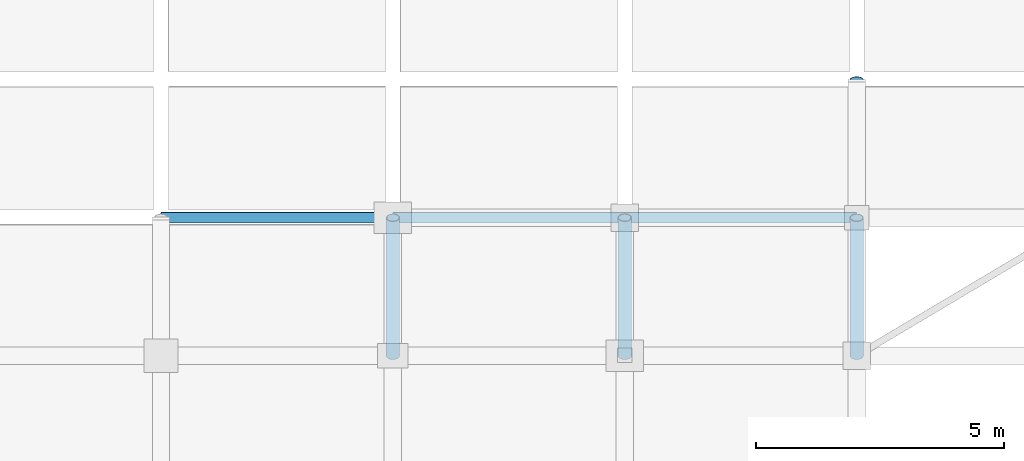
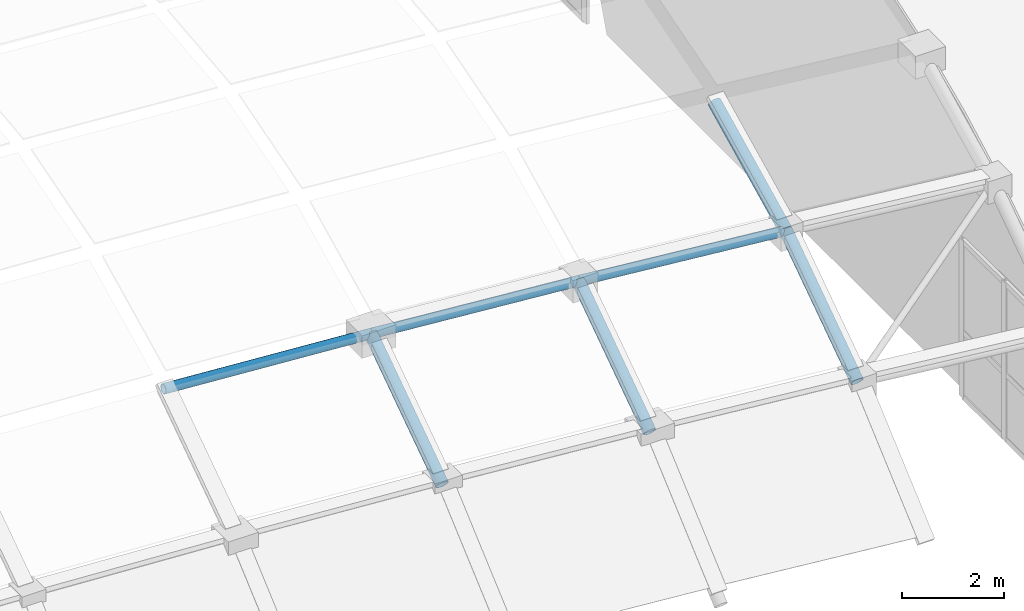
# One storey, part 28 of 65: 4 beams, 3 members.
"""IFC4 building model written with IfcOpenShell, lengths in metres."""

from ifc_helpers import new_model, si_unit, direction, frame, origin, origin_2d, place, context, subcontext, project, spatial, hollow_circle, extrude, material, material_profile, profile_set, type_object, element, save


model = new_model("IFC4")

# Units and contexts
model_context = context("Model", 3, precision=1e-05, world=origin(), true_north=direction((0.0, 1.0)))
body_context = subcontext(model_context, "Body", "Model", "MODEL_VIEW")
ifc_project = project(units=[si_unit("LENGTHUNIT", "METRE"), si_unit("AREAUNIT", "SQUARE_METRE"), si_unit("VOLUMEUNIT", "CUBIC_METRE"), si_unit("PLANEANGLEUNIT", "RADIAN"), si_unit("MASSUNIT", "GRAM", prefix="KILO")], contexts=[model_context])

# Site, building, storey
site_placement = place(None, origin())
site = spatial("IfcSite", under=ifc_project, at=site_placement, CompositionType="ELEMENT")
building_placement = place(site_placement, origin())
building = spatial("IfcBuilding", under=site, at=building_placement, Name="Quillay Park Conservatory", CompositionType="ELEMENT")
storey_placement = place(building_placement, frame((0.0, 0.0, 14.10009765625)))
storey = spatial("IfcBuildingStorey", under=building, at=storey_placement, Name="L03", CompositionType="ELEMENT", Elevation=14.10009765625)

# Beams
ifc_material_1 = material(Name="Steel S355J2H", Category="steel")
ifc_material_profile_1 = material_profile(ifc_material_1, hollow_circle(Radius=0.136474609375, WallThickness=0.012451171875, at=origin_2d()), Name="CHS273x12.5")
ifc_profile_set_1 = profile_set([ifc_material_profile_1], Name="Steel S355J2H")
beam_type = type_object("IfcBeamType", Name="GRIDSHELL ARCH BEAM CHS273", PredefinedType="USERDEFINED", material=ifc_profile_set_1)
for number, where, z_axis, x_axis, name in (
    (1, (100.816650390625, 88.3349609375, 2.023681640625), (0.0, 0.824682609274, 0.565595786725), (-1.0, 0.0, 0.0), "Gridshell member GS-ARCH-15-01"),
    (2, (105.494384765625, 88.3349609375, 1.644775390625), (0.0, 0.824682609274, 0.565595786725), (-1.0, 0.0, 0.0), "Gridshell member GS-ARCH-16-01"),
    (3, (110.172119140625, 88.3349609375, 1.207275390625), (0.0, 0.824682609274, 0.565595786725), (-1.0, 0.0, 0.0), "Gridshell member GS-ARCH-17-01"),
):
    element("IfcBeam", number, at=place(storey_placement, frame(where, z_axis=z_axis, x_axis=x_axis)), inside=storey, type_object=beam_type, Name=name, ObjectType="GRIDSHELL ARCH BEAM", PredefinedType="USERDEFINED", context=body_context, shape_type="SweptSolid", body=[
        extrude(hollow_circle(Radius=0.136474609375, WallThickness=0.012451171875, at=origin_2d()), origin(), (0.0, 0.0, 1.0), 3.377197265625),
    ])
beam_placement = place(storey_placement, frame((110.172119140625, 91.1201171875, 3.117431640625), z_axis=(0.0, 0.897163004175, 0.441699608262), x_axis=(-1.0, 0.0, 0.0)))
element("IfcBeam", 4, at=beam_placement, inside=storey, type_object=beam_type, Name="Gridshell member GS-ARCH-17-02", ObjectType="GRIDSHELL ARCH BEAM", PredefinedType="USERDEFINED", context=body_context, shape_type="SweptSolid", body=[
    extrude(hollow_circle(Radius=0.136474609375, WallThickness=0.012451171875, at=origin_2d()), origin(), (0.0, 0.0, 1.0), 3.104248046875),
])

# Members
ifc_material_2 = material(Name="Steel S355J2H", Category="steel")
ifc_material_profile_2 = material_profile(ifc_material_2, hollow_circle(Radius=0.109619140625, WallThickness=0.010009765625, at=origin_2d()), Name="CHS219.1x10")
ifc_profile_set_2 = profile_set([ifc_material_profile_2], Name="Steel S355J2H")
member_type = type_object("IfcMemberType", Name="GRIDSHELL ARCH RIB CHS219", PredefinedType="USERDEFINED", material=ifc_profile_set_2)
member_1_placement = place(storey_placement, frame((96.138916015625, 91.1201171875, 4.254150390625), z_axis=(0.997663732084, 0.0, -0.068316013387), x_axis=(0.0, 1.0, 0.0)))
element("IfcMember", 5, at=member_1_placement, inside=storey, type_object=member_type, Name="Gridshell member GS-RIB-14-02", ObjectType="GRIDSHELL ARCH RIB", PredefinedType="USERDEFINED", context=body_context, shape_type="SweptSolid", body=[
    extrude(hollow_circle(Radius=0.109619140625, WallThickness=0.010009765625, at=origin_2d()), origin(), (0.0, 0.0, 1.0), 4.688720703125),
])
member_2_placement = place(storey_placement, frame((100.816650390625, 91.1201171875, 3.933837890625), z_axis=(0.996735387311, 0.0, -0.080737647239), x_axis=(0.0, 1.0, 0.0)))
element("IfcMember", 6, at=member_2_placement, inside=storey, type_object=member_type, Name="Gridshell member GS-RIB-15-02", ObjectType="GRIDSHELL ARCH RIB", PredefinedType="USERDEFINED", context=body_context, shape_type="SweptSolid", body=[
    extrude(hollow_circle(Radius=0.109619140625, WallThickness=0.010009765625, at=origin_2d()), origin(), (0.0, 0.0, 1.0), 4.693115234375),
])
member_3_placement = place(storey_placement, frame((105.494384765625, 91.1201171875, 3.554931640625), z_axis=(0.995654726514, 0.0, -0.093121778179), x_axis=(0.0, 1.0, 0.0)))
element("IfcMember", 7, at=member_3_placement, inside=storey, type_object=member_type, Name="Gridshell member GS-RIB-16-02", ObjectType="GRIDSHELL ARCH RIB", PredefinedType="USERDEFINED", context=body_context, shape_type="SweptSolid", body=[
    extrude(hollow_circle(Radius=0.109619140625, WallThickness=0.010009765625, at=origin_2d()), origin(), (0.0, 0.0, 1.0), 4.6982421875),
])

save(model, "model.ifc")
